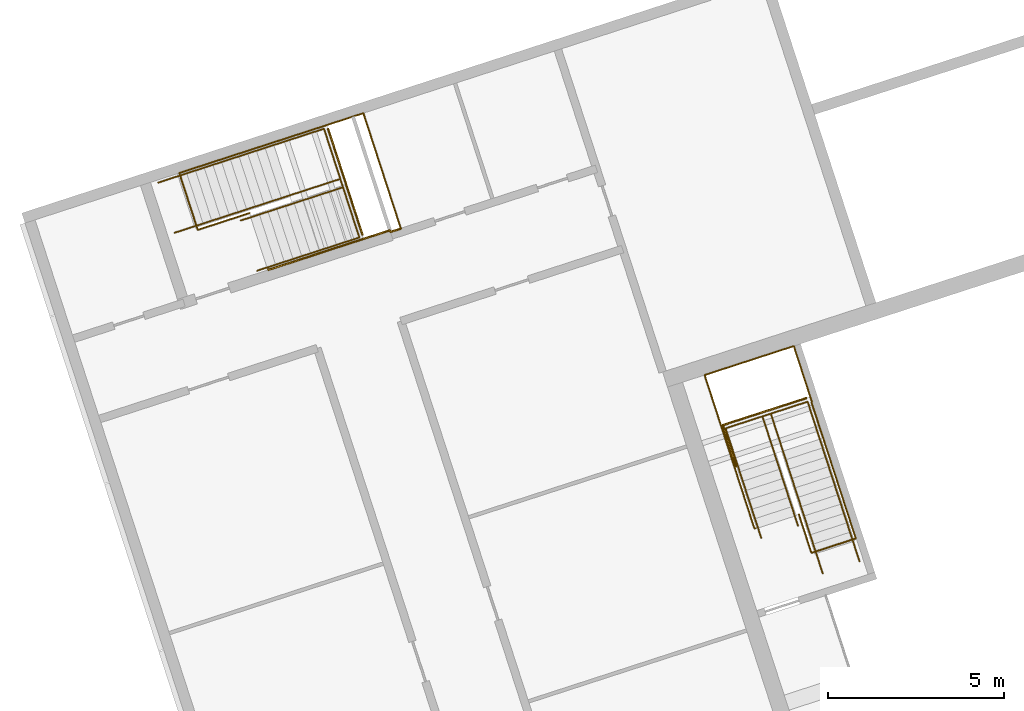
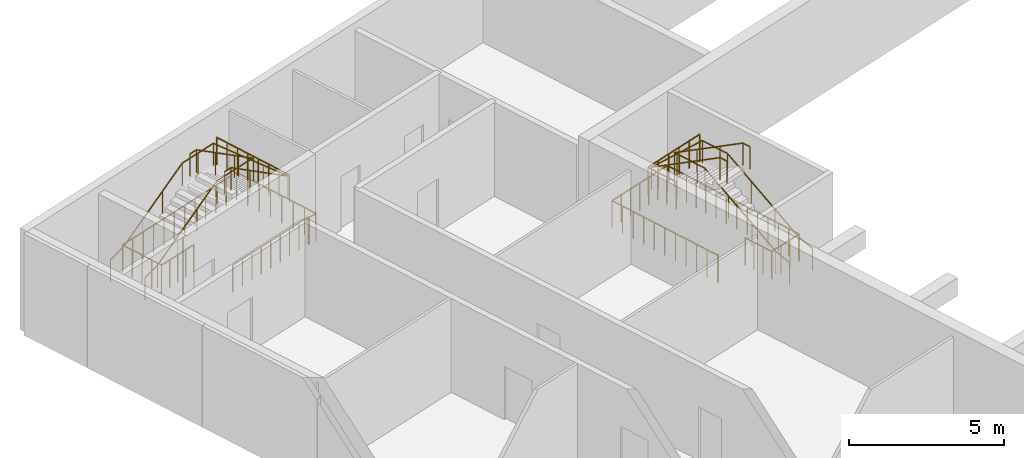
# One storey, part 62 of 66: 11 railings.
"""IFC4 building model written with IfcOpenShell, lengths in metres."""

import ifcopenshell
import ifcopenshell.guid

model = None  # the IFC model being written
_history = None  # IfcOwnerHistory: only IFC2X3 demands one
_inside = {}  # id of a spatial element -> (the spatial element, [elements in it])
_under = {}  # id of a project, library or spatial element -> (it, [spatial elements below it])
_declared = {}  # id of a project -> (the project, [libraries it declares])
_typed = {}  # id of a type object -> (the type object, [elements of that type])
_made_of = {}  # id of a material, layer set ... -> (it, [elements and type objects made of it])


def new_model(schema):
    """Start an empty IFC model of exactly this schema.

    Asked for "IFC4X3", IfcOpenShell would pick the latest addendum, in which some entities
    have other attributes; the version numbers below select the first issue.
    IFC2X3 requires an IfcOwnerHistory on every rooted entity: one is made here for all.
    """
    global model, _history
    if schema == "IFC4X3":
        model = ifcopenshell.file(schema_version=(4, 3, 0, 0))
    else:
        model = ifcopenshell.file(schema=schema)
    _inside.clear()
    _under.clear()
    _declared.clear()
    _typed.clear()
    _made_of.clear()
    _history = None
    if model.schema == "IFC2X3":
        org = make("IfcOrganization", Name="unknown")
        user = make(
            "IfcPersonAndOrganization",
            ThePerson=make("IfcPerson", FamilyName="unknown"),
            TheOrganization=org,
        )
        app = make(
            "IfcApplication",
            ApplicationDeveloper=org,
            Version="unknown",
            ApplicationFullName="unknown",
            ApplicationIdentifier="unknown",
        )
        _history = make(
            "IfcOwnerHistory",
            OwningUser=user,
            OwningApplication=app,
            ChangeAction="ADDED",
            CreationDate=0,
        )
    return model


def make(cls, **values):
    """One entity of the class cls with the attributes given. An attribute that is None is left unset."""
    return model.create_entity(
        cls, **{name: value for name, value in values.items() if value is not None}
    )


def rooted(cls, **values):
    """An entity with a GlobalId (a new one), such as an element, a storey or a relation."""
    return make(cls, GlobalId=ifcopenshell.guid.new(), OwnerHistory=_history, **values)


def si_unit(unit_type, name, prefix=None):
    """IfcSIUnit, for example si_unit("LENGTHUNIT", "METRE", prefix="MILLI")."""
    return make("IfcSIUnit", UnitType=unit_type, Prefix=prefix, Name=name)


def assignment(units):
    """IfcUnitAssignment: the units of a project."""
    return None if units is None else make("IfcUnitAssignment", Units=units)


def point(xyz):
    """IfcCartesianPoint."""
    return None if xyz is None else make("IfcCartesianPoint", Coordinates=xyz)


def direction(xyz):
    """IfcDirection."""
    return None if xyz is None else make("IfcDirection", DirectionRatios=xyz)


def frame(location, z_axis=None, x_axis=None):
    """IfcAxis2Placement3D, a coordinate frame: its origin and axes. An axis left out is left unset."""
    return make(
        "IfcAxis2Placement3D",
        Location=point(location),
        Axis=direction(z_axis),
        RefDirection=direction(x_axis),
    )


def frame_2d(location, x_axis=None):
    """IfcAxis2Placement2D, a coordinate frame in the plane: its origin and x axis."""
    return make(
        "IfcAxis2Placement2D", Location=point(location), RefDirection=direction(x_axis)
    )


def origin():
    """The frame at (0, 0, 0) with its axes left unset."""
    return frame((0.0, 0.0, 0.0))


def origin_2d():
    """The frame at (0, 0) in the plane with its x axis left unset."""
    return frame_2d((0.0, 0.0))


def place(relative_to, where):
    """IfcLocalPlacement: puts the frame where relative to a parent placement (None: the world)."""
    return make(
        "IfcLocalPlacement", PlacementRelTo=relative_to, RelativePlacement=where
    )


def context(
    kind, dimensions, precision=None, world=None, true_north=None, identifier=None
):
    """IfcGeometricRepresentationContext, for example the 3D "Model" context."""
    return make(
        "IfcGeometricRepresentationContext",
        ContextIdentifier=identifier,
        ContextType=kind,
        CoordinateSpaceDimension=dimensions,
        Precision=precision,
        WorldCoordinateSystem=world,
        TrueNorth=true_north,
    )


def subcontext(parent, identifier, kind, view, scale=None):
    """IfcGeometricRepresentationSubContext, for example "Body" below "Model"."""
    return make(
        "IfcGeometricRepresentationSubContext",
        ContextIdentifier=identifier,
        ContextType=kind,
        ParentContext=parent,
        TargetScale=scale,
        TargetView=view,
    )


def project(units=None, contexts=None):
    """IfcProject with its units and contexts."""
    return rooted(
        "IfcProject",
        Name="project",
        RepresentationContexts=contexts,
        UnitsInContext=assignment(units),
    )


def spatial(cls, under=None, at=None, **own):
    """A site, building, storey or space (cls), placed at a placement, below another one or the project."""
    s = rooted(cls, ObjectPlacement=at, **own)
    if under is not None:
        _under.setdefault(under.id(), (under, []))[1].append(s)
    return s


def profile(cls, at=None, kind="AREA", **sizes):
    """A parametric profile (cls). Its sizes go by their IFC names, for example OverallWidth=200.0."""
    return make(cls, ProfileType=kind, Position=at, **sizes)


def circle(**sizes):
    """IfcCircleProfileDef."""
    return profile("IfcCircleProfileDef", **sizes)


def extrude(swept, where, along, depth):
    """IfcExtrudedAreaSolid: the profile swept, set in the frame where, extruded along a direction by depth."""
    return make(
        "IfcExtrudedAreaSolid",
        SweptArea=swept,
        Position=where,
        ExtrudedDirection=direction(along),
        Depth=depth,
    )


def shape(context_of_items, identifier, shape_type, items):
    """IfcShapeRepresentation: the items that make up one representation, for example the "Body"."""
    return make(
        "IfcShapeRepresentation",
        ContextOfItems=context_of_items,
        RepresentationIdentifier=identifier,
        RepresentationType=shape_type,
        Items=items,
    )


def material(Name=None, Category=None):
    """IfcMaterial."""
    return make("IfcMaterial", Name=Name, Category=Category)


def made_of(thing, what):
    """Note that an element or type object is made of a material, layer set ...; save() writes the relation."""
    if what is not None:
        _made_of.setdefault(what.id(), (what, []))[1].append(thing)
    return thing


def type_object(cls, material=None, **own):
    """A type object (cls), such as IfcWallType, which elements share."""
    return made_of(rooted(cls, **own), material)


def element(
    cls,
    number,
    at=None,
    inside=None,
    cuts=None,
    type_object=None,
    material=None,
    context=None,
    identifier="Body",
    shape_type=None,
    held_by="IfcProductDefinitionShape",
    body=None,
    shapes=None,
    **own,
):
    """One element of the class cls, such as IfcWall. Its Tag is "e" and its number.

    at: its placement. inside: the storey or other place that contains it. cuts: it is an
    opening in that element (IfcRelVoidsElement). A single representation is given by context,
    identifier, shape_type and body (its items); several are given by shapes. held_by: the class
    of the entity that holds the representations. save() writes the other relations.
    """
    e = rooted(cls, Tag="e%d" % number, ObjectPlacement=at, **own)
    if body is not None:
        shapes = [shape(context, identifier, shape_type, body)]
    if shapes is not None:
        e.Representation = make(held_by, Representations=shapes)
    if inside is not None:
        _inside.setdefault(inside.id(), (inside, []))[1].append(e)
    if cuts is not None:
        rooted(
            "IfcRelVoidsElement", RelatingBuildingElement=cuts, RelatedOpeningElement=e
        )
    if type_object is not None:
        _typed.setdefault(type_object.id(), (type_object, []))[1].append(e)
    return made_of(e, material)


def aggregate(whole, parts):
    """IfcRelAggregates: a whole, such as a stair, and the parts it consists of."""
    return rooted("IfcRelAggregates", RelatingObject=whole, RelatedObjects=parts)


def save(model, path):
    """Write the relations noted so far, then the file.

    IfcRelAggregates (storeys below a building ...), IfcRelContainedInSpatialStructure (elements
    in a storey), IfcRelDefinesByType, IfcRelAssociatesMaterial and IfcRelDeclares: one each for
    every whole, place, type object, material and project.
    """
    for whole, parts in _under.values():
        aggregate(whole, parts)
    for where, things in _inside.values():
        rooted(
            "IfcRelContainedInSpatialStructure",
            RelatedElements=things,
            RelatingStructure=where,
        )
    for kind, things in _typed.values():
        rooted("IfcRelDefinesByType", RelatedObjects=things, RelatingType=kind)
    for what, things in _made_of.values():
        rooted("IfcRelAssociatesMaterial", RelatedObjects=things, RelatingMaterial=what)
    for by, libraries in _declared.values():
        rooted("IfcRelDeclares", RelatingContext=by, RelatedDefinitions=libraries)
    model.write(path)


model = new_model("IFC4")

# Units and contexts
model_context = context("Model", 3, precision=1e-05, world=origin(), true_north=direction((0.0, 1.0)))
body_context = subcontext(model_context, "Body", "Model", "MODEL_VIEW")
ifc_project = project(units=[si_unit("LENGTHUNIT", "METRE"), si_unit("AREAUNIT", "SQUARE_METRE"), si_unit("VOLUMEUNIT", "CUBIC_METRE"), si_unit("PLANEANGLEUNIT", "RADIAN"), si_unit("MASSUNIT", "GRAM", prefix="KILO")], contexts=[model_context])

# Site, building, storey
site_placement = place(None, origin())
site = spatial("IfcSite", under=ifc_project, at=site_placement, CompositionType="ELEMENT")
building_placement = place(site_placement, origin())
building = spatial("IfcBuilding", under=site, at=building_placement, Name="Tuart Plaza Theatre", CompositionType="ELEMENT")
storey_placement = place(building_placement, frame((0.0, 0.0, 5.5)))
storey = spatial("IfcBuildingStorey", under=building, at=storey_placement, Name="L01", CompositionType="ELEMENT", Elevation=5.5)

# Railings
ifc_material_1 = material(Name="Steel Grade C350L0", Category="steel")
railing_type_1 = type_object("IfcRailingType", Name="RAILING Guard 1100", PredefinedType="GUARDRAIL", material=ifc_material_1)
railing_1_placement = place(storey_placement, frame((27.444580078125, 91.872802734375, 0.0)))
element("IfcRailing", 1, at=railing_1_placement, inside=storey, type_object=railing_type_1, Name="GR25", PredefinedType="GUARDRAIL", context=body_context, shape_type="SweptSolid", body=[
    extrude(circle(Radius=0.02490234375, at=origin_2d()), frame((0.0, 0.0, 1.0751953125), z_axis=(-0.951172846201, -0.308658738171, 0.0), x_axis=(0.308658738171, -0.951172846201, 0.0)), (0.0, 0.0, 1.0), 0.31005859375),
    extrude(circle(Radius=0.02490234375, at=origin_2d()), frame((-0.294921875, -0.095703125, 1.0751953125), z_axis=(-0.310120496179, 0.950697258779, 0.0), x_axis=(-0.950697258779, -0.310120496179, 0.0)), (0.0, 0.0, 1.0), 0.048095703125),
    extrude(circle(Radius=0.02490234375, at=origin_2d()), frame((-0.309814453125, -0.050048828125, 1.0751953125), z_axis=(-0.9510439537, -0.309055655393, 0.0), x_axis=(0.309055655393, -0.9510439537, 0.0)), (0.0, 0.0, 1.0), 3.6298828125),
    extrude(circle(Radius=0.02490234375, at=origin_2d()), frame((-3.761962890625, -1.171875, 1.0751953125), z_axis=(-0.316227766017, 0.948683298051, 0.0), x_axis=(-0.948683298051, -0.316227766017, 0.0)), (0.0, 0.0, 1.0), 0.02001953125),
    extrude(circle(Radius=0.02001953125, at=origin_2d()), origin(), (0.0, 0.0, 1.0), 1.050048828125),
    extrude(circle(Radius=0.02001953125, at=origin_2d()), frame((-0.294921875, -0.095703125, 0.0)), (0.0, 0.0, 1.0), 1.050048828125),
    extrude(circle(Radius=0.02001953125, at=origin_2d()), frame((-0.309814453125, -0.050048828125, 0.0)), (0.0, 0.0, 1.0), 1.050048828125),
    extrude(circle(Radius=0.02001953125, at=origin_2d()), frame((-0.7412109375, -0.190185546875, 0.0)), (0.0, 0.0, 1.0), 1.050048828125),
    extrude(circle(Radius=0.02001953125, at=origin_2d()), frame((-1.1728515625, -0.33056640625, 0.0)), (0.0, 0.0, 1.0), 1.050048828125),
    extrude(circle(Radius=0.02001953125, at=origin_2d()), frame((-1.6044921875, -0.470703125, 0.0)), (0.0, 0.0, 1.0), 1.050048828125),
    extrude(circle(Radius=0.02001953125, at=origin_2d()), frame((-2.035888671875, -0.61083984375, 0.0)), (0.0, 0.0, 1.0), 1.050048828125),
    extrude(circle(Radius=0.02001953125, at=origin_2d()), frame((-2.46728515625, -0.751220703125, 0.0)), (0.0, 0.0, 1.0), 1.050048828125),
    extrude(circle(Radius=0.02001953125, at=origin_2d()), frame((-2.89892578125, -0.891357421875, 0.0)), (0.0, 0.0, 1.0), 1.050048828125),
    extrude(circle(Radius=0.02001953125, at=origin_2d()), frame((-3.33056640625, -1.03173828125, 0.0)), (0.0, 0.0, 1.0), 1.050048828125),
    extrude(circle(Radius=0.02001953125, at=origin_2d()), frame((-3.761962890625, -1.171875, 0.0)), (0.0, 0.0, 1.0), 1.050048828125),
    extrude(circle(Radius=0.02001953125, at=origin_2d()), frame((-3.768310546875, -1.15283203125, 0.0)), (0.0, 0.0, 1.0), 1.050048828125),
])
railing_2_placement = place(storey_placement, frame((23.15234375, 92.316162109375, 0.0)))
element("IfcRailing", 2, at=railing_2_placement, inside=storey, type_object=railing_type_1, Name="GR26", PredefinedType="GUARDRAIL", context=body_context, shape_type="SweptSolid", body=[
    extrude(circle(Radius=0.02490234375, at=origin_2d()), frame((0.0, 0.0, 1.0751953125), z_axis=(-0.951058297536, -0.309011512226, 0.0), x_axis=(0.309011512226, -0.951058297536, 0.0)), (0.0, 0.0, 1.0), 1.554931640625),
    extrude(circle(Radius=0.02490234375, at=origin_2d()), frame((-1.478759765625, -0.48046875, 1.0751953125), z_axis=(-0.309024378638, 0.951054116971, 0.0), x_axis=(-0.951054116971, -0.309024378638, 0.0)), (0.0, 0.0, 1.0), 1.7001953125),
    extrude(circle(Radius=0.02490234375, at=origin_2d()), frame((-2.004150390625, 1.136474609375, 1.0751953125), z_axis=(0.951061793147, 0.309000753423, 0.0), x_axis=(-0.309000753423, 0.951061793147, 0.0)), (0.0, 0.0, 1.0), 5.499755859375),
    extrude(circle(Radius=0.02490234375, at=origin_2d()), frame((3.2265625, 2.8359375, 1.0751953125), z_axis=(0.309060456224, -0.951042393586, 0.0), x_axis=(0.951042393586, 0.309060456224, 0.0)), (0.0, 0.0, 1.0), 3.447998046875),
    extrude(circle(Radius=0.02001953125, at=origin_2d()), origin(), (0.0, 0.0, 1.0), 1.050048828125),
    extrude(circle(Radius=0.02001953125, at=origin_2d()), frame((-0.36962890625, -0.1201171875, 0.0)), (0.0, 0.0, 1.0), 1.050048828125),
    extrude(circle(Radius=0.02001953125, at=origin_2d()), frame((-0.7392578125, -0.240234375, 0.0)), (0.0, 0.0, 1.0), 1.050048828125),
    extrude(circle(Radius=0.02001953125, at=origin_2d()), frame((-1.109130859375, -0.3603515625, 0.0)), (0.0, 0.0, 1.0), 1.050048828125),
    extrude(circle(Radius=0.02001953125, at=origin_2d()), frame((-1.478759765625, -0.48046875, 0.0)), (0.0, 0.0, 1.0), 1.050048828125),
    extrude(circle(Radius=0.02001953125, at=origin_2d()), frame((-1.610107421875, -0.076171875, 0.0)), (0.0, 0.0, 1.0), 1.050048828125),
    extrude(circle(Radius=0.02001953125, at=origin_2d()), frame((-1.741455078125, 0.328125, 0.0)), (0.0, 0.0, 1.0), 1.050048828125),
    extrude(circle(Radius=0.02001953125, at=origin_2d()), frame((-1.872802734375, 0.732177734375, 0.0)), (0.0, 0.0, 1.0), 1.050048828125),
    extrude(circle(Radius=0.02001953125, at=origin_2d()), frame((-2.004150390625, 1.136474609375, 0.0)), (0.0, 0.0, 1.0), 1.050048828125),
    extrude(circle(Radius=0.02001953125, at=origin_2d()), frame((-1.528564453125, 1.291015625, 0.0)), (0.0, 0.0, 1.0), 1.050048828125),
    extrude(circle(Radius=0.02001953125, at=origin_2d()), frame((-1.05322265625, 1.445556640625, 0.0)), (0.0, 0.0, 1.0), 1.050048828125),
    extrude(circle(Radius=0.02001953125, at=origin_2d()), frame((-0.57763671875, 1.599853515625, 0.0)), (0.0, 0.0, 1.0), 1.050048828125),
    extrude(circle(Radius=0.02001953125, at=origin_2d()), frame((-0.10205078125, 1.75439453125, 0.0)), (0.0, 0.0, 1.0), 1.050048828125),
    extrude(circle(Radius=0.02001953125, at=origin_2d()), frame((0.37353515625, 1.908935546875, 0.0)), (0.0, 0.0, 1.0), 1.050048828125),
    extrude(circle(Radius=0.02001953125, at=origin_2d()), frame((0.848876953125, 2.0634765625, 0.0)), (0.0, 0.0, 1.0), 1.050048828125),
    extrude(circle(Radius=0.02001953125, at=origin_2d()), frame((1.324462890625, 2.218017578125, 0.0)), (0.0, 0.0, 1.0), 1.050048828125),
    extrude(circle(Radius=0.02001953125, at=origin_2d()), frame((1.800048828125, 2.37255859375, 0.0)), (0.0, 0.0, 1.0), 1.050048828125),
    extrude(circle(Radius=0.02001953125, at=origin_2d()), frame((2.275634765625, 2.52685546875, 0.0)), (0.0, 0.0, 1.0), 1.050048828125),
    extrude(circle(Radius=0.02001953125, at=origin_2d()), frame((2.7509765625, 2.681396484375, 0.0)), (0.0, 0.0, 1.0), 1.050048828125),
    extrude(circle(Radius=0.02001953125, at=origin_2d()), frame((3.2265625, 2.8359375, 0.0)), (0.0, 0.0, 1.0), 1.050048828125),
    extrude(circle(Radius=0.02001953125, at=origin_2d()), frame((3.37890625, 2.367431640625, 0.0)), (0.0, 0.0, 1.0), 1.050048828125),
    extrude(circle(Radius=0.02001953125, at=origin_2d()), frame((3.531005859375, 1.89892578125, 0.0)), (0.0, 0.0, 1.0), 1.050048828125),
    extrude(circle(Radius=0.02001953125, at=origin_2d()), frame((3.683349609375, 1.430419921875, 0.0)), (0.0, 0.0, 1.0), 1.050048828125),
    extrude(circle(Radius=0.02001953125, at=origin_2d()), frame((3.83544921875, 0.962158203125, 0.0)), (0.0, 0.0, 1.0), 1.050048828125),
    extrude(circle(Radius=0.02001953125, at=origin_2d()), frame((3.98779296875, 0.49365234375, 0.0)), (0.0, 0.0, 1.0), 1.050048828125),
    extrude(circle(Radius=0.02001953125, at=origin_2d()), frame((4.139892578125, 0.025146484375, 0.0)), (0.0, 0.0, 1.0), 1.050048828125),
    extrude(circle(Radius=0.02001953125, at=origin_2d()), frame((4.292236328125, -0.443359375, 0.0)), (0.0, 0.0, 1.0), 1.050048828125),
])
railing_3_placement = place(storey_placement, frame((25.37939453125, 94.701171875, 2.0)))
element("IfcRailing", 3, at=railing_3_placement, inside=storey, type_object=railing_type_1, Name="GR30", PredefinedType="GUARDRAIL", context=body_context, shape_type="SweptSolid", body=[
    extrude(circle(Radius=0.02490234375, at=origin_2d()), frame((0.0, 0.0, 1.0751953125), z_axis=(0.309033663672, -0.951051099951, 0.0), x_axis=(0.951051099951, 0.309033663672, 0.0)), (0.0, 0.0, 1.0), 3.16015625),
    extrude(circle(Radius=0.02001953125, at=origin_2d()), origin(), (0.0, 0.0, 1.0), 1.050048828125),
    extrude(circle(Radius=0.02001953125, at=origin_2d()), frame((0.139404296875, -0.429443359375, 0.0)), (0.0, 0.0, 1.0), 1.050048828125),
    extrude(circle(Radius=0.02001953125, at=origin_2d()), frame((0.279052734375, -0.858642578125, 0.0)), (0.0, 0.0, 1.0), 1.050048828125),
    extrude(circle(Radius=0.02001953125, at=origin_2d()), frame((0.41845703125, -1.2880859375, 0.0)), (0.0, 0.0, 1.0), 1.050048828125),
    extrude(circle(Radius=0.02001953125, at=origin_2d()), frame((0.55810546875, -1.71728515625, 0.0)), (0.0, 0.0, 1.0), 1.050048828125),
    extrude(circle(Radius=0.02001953125, at=origin_2d()), frame((0.697509765625, -2.146728515625, 0.0)), (0.0, 0.0, 1.0), 1.050048828125),
    extrude(circle(Radius=0.02001953125, at=origin_2d()), frame((0.837158203125, -2.575927734375, 0.0)), (0.0, 0.0, 1.0), 1.050048828125),
    extrude(circle(Radius=0.02001953125, at=origin_2d()), frame((0.9765625, -3.00537109375, 0.0)), (0.0, 0.0, 1.0), 1.050048828125),
])
railing_4_placement = place(storey_placement, frame((38.613037109375, 88.53369140625, 0.0)))
element("IfcRailing", 4, at=railing_4_placement, inside=storey, type_object=railing_type_1, Name="GR48", PredefinedType="GUARDRAIL", context=body_context, shape_type="SweptSolid", body=[
    extrude(circle(Radius=0.02490234375, at=origin_2d()), frame((0.0, 0.0, 1.0751953125), z_axis=(0.309003676349, -0.951060843481, 0.0), x_axis=(0.951060843481, 0.309003676349, 0.0)), (0.0, 0.0, 1.0), 1.675048828125),
    extrude(circle(Radius=0.02490234375, at=origin_2d()), frame((0.517578125, -1.593017578125, 1.0751953125), z_axis=(-0.951860557857, -0.306531366089, 0.0), x_axis=(0.306531366089, -0.951860557857, 0.0)), (0.0, 0.0, 1.0), 0.01513671875),
    extrude(circle(Radius=0.02490234375, at=origin_2d()), frame((0.503173828125, -1.59765625, 1.0751953125), z_axis=(0.309038600002, -0.95104949593, 0.0), x_axis=(0.95104949593, 0.309038600002, 0.0)), (0.0, 0.0, 1.0), 4.070068359375),
    extrude(circle(Radius=0.02490234375, at=origin_2d()), frame((1.760986328125, -5.468505859375, 1.0751953125), z_axis=(-0.951051671908, -0.309031903466, 0.0), x_axis=(0.309031903466, -0.951051671908, 0.0)), (0.0, 0.0, 1.0), 1.324951171875),
    extrude(circle(Radius=0.02490234375, at=origin_2d()), frame((0.5009765625, -5.8779296875, 1.0751953125), z_axis=(-0.309181642965, 0.951003002968, 0.0), x_axis=(-0.951003002968, -0.309181642965, 0.0)), (0.0, 0.0, 1.0), 1.1552734375),
    extrude(circle(Radius=0.02001953125, at=origin_2d()), origin(), (0.0, 0.0, 1.0), 1.050048828125),
    extrude(circle(Radius=0.02001953125, at=origin_2d()), frame((0.12939453125, -0.398193359375, 0.0)), (0.0, 0.0, 1.0), 1.050048828125),
    extrude(circle(Radius=0.02001953125, at=origin_2d()), frame((0.2587890625, -0.79638671875, 0.0)), (0.0, 0.0, 1.0), 1.050048828125),
    extrude(circle(Radius=0.02001953125, at=origin_2d()), frame((0.38818359375, -1.19482421875, 0.0)), (0.0, 0.0, 1.0), 1.050048828125),
    extrude(circle(Radius=0.02001953125, at=origin_2d()), frame((0.517578125, -1.593017578125, 0.0)), (0.0, 0.0, 1.0), 1.050048828125),
    extrude(circle(Radius=0.02001953125, at=origin_2d()), frame((0.503173828125, -1.59765625, 0.0)), (0.0, 0.0, 1.0), 1.050048828125),
    extrude(circle(Radius=0.02001953125, at=origin_2d()), frame((0.642822265625, -2.02783203125, 0.0)), (0.0, 0.0, 1.0), 1.050048828125),
    extrude(circle(Radius=0.02001953125, at=origin_2d()), frame((0.78271484375, -2.457763671875, 0.0)), (0.0, 0.0, 1.0), 1.050048828125),
    extrude(circle(Radius=0.02001953125, at=origin_2d()), frame((0.92236328125, -2.887939453125, 0.0)), (0.0, 0.0, 1.0), 1.050048828125),
    extrude(circle(Radius=0.02001953125, at=origin_2d()), frame((1.062255859375, -3.318115234375, 0.0)), (0.0, 0.0, 1.0), 1.050048828125),
    extrude(circle(Radius=0.02001953125, at=origin_2d()), frame((1.201904296875, -3.748046875, 0.0)), (0.0, 0.0, 1.0), 1.050048828125),
    extrude(circle(Radius=0.02001953125, at=origin_2d()), frame((1.341796875, -4.17822265625, 0.0)), (0.0, 0.0, 1.0), 1.050048828125),
    extrude(circle(Radius=0.02001953125, at=origin_2d()), frame((1.4814453125, -4.6083984375, 0.0)), (0.0, 0.0, 1.0), 1.050048828125),
    extrude(circle(Radius=0.02001953125, at=origin_2d()), frame((1.621337890625, -5.038330078125, 0.0)), (0.0, 0.0, 1.0), 1.050048828125),
    extrude(circle(Radius=0.02001953125, at=origin_2d()), frame((1.760986328125, -5.468505859375, 0.0)), (0.0, 0.0, 1.0), 1.050048828125),
    extrude(circle(Radius=0.02001953125, at=origin_2d()), frame((1.341064453125, -5.60498046875, 0.0)), (0.0, 0.0, 1.0), 1.050048828125),
    extrude(circle(Radius=0.02001953125, at=origin_2d()), frame((0.9208984375, -5.741455078125, 0.0)), (0.0, 0.0, 1.0), 1.050048828125),
    extrude(circle(Radius=0.02001953125, at=origin_2d()), frame((0.5009765625, -5.8779296875, 0.0)), (0.0, 0.0, 1.0), 1.050048828125),
    extrude(circle(Radius=0.02001953125, at=origin_2d()), frame((0.3818359375, -5.51171875, 0.0)), (0.0, 0.0, 1.0), 1.050048828125),
    extrude(circle(Radius=0.02001953125, at=origin_2d()), frame((0.262939453125, -5.1455078125, 0.0)), (0.0, 0.0, 1.0), 1.050048828125),
    extrude(circle(Radius=0.02001953125, at=origin_2d()), frame((0.143798828125, -4.779296875, 0.0)), (0.0, 0.0, 1.0), 1.050048828125),
])
railing_5_placement = place(storey_placement, frame((37.5380859375, 83.363525390625, 0.0)))
element("IfcRailing", 5, at=railing_5_placement, inside=storey, type_object=railing_type_1, Name="GR49", PredefinedType="GUARDRAIL", context=body_context, shape_type="SweptSolid", body=[
    extrude(circle(Radius=0.02490234375, at=origin_2d()), frame((0.0, 0.0, 1.0751953125), z_axis=(-0.951351351351, -0.308108108108, 0.0), x_axis=(0.308108108108, -0.951351351351, 0.0)), (0.0, 0.0, 1.0), 0.045166015625),
    extrude(circle(Radius=0.02490234375, at=origin_2d()), frame((-0.04296875, -0.013916015625, 1.0751953125), z_axis=(-0.308998177192, 0.951062630163, 0.0), x_axis=(-0.951062630163, -0.308998177192, 0.0)), (0.0, 0.0, 1.0), 4.5849609375),
    extrude(circle(Radius=0.02490234375, at=origin_2d()), frame((-1.459716796875, 4.3466796875, 1.0751953125), z_axis=(0.951065031201, 0.308990786962, 0.0), x_axis=(-0.308990786962, 0.951065031201, 0.0)), (0.0, 0.0, 1.0), 2.6650390625),
    extrude(circle(Radius=0.02001953125, at=origin_2d()), origin(), (0.0, 0.0, 1.0), 1.050048828125),
    extrude(circle(Radius=0.02001953125, at=origin_2d()), frame((-0.04296875, -0.013916015625, 0.0)), (0.0, 0.0, 1.0), 1.050048828125),
    extrude(circle(Radius=0.02001953125, at=origin_2d()), frame((-0.1845703125, 0.422119140625, 0.0)), (0.0, 0.0, 1.0), 1.050048828125),
    extrude(circle(Radius=0.02001953125, at=origin_2d()), frame((-0.326416015625, 0.858154296875, 0.0)), (0.0, 0.0, 1.0), 1.050048828125),
    extrude(circle(Radius=0.02001953125, at=origin_2d()), frame((-0.468017578125, 1.294189453125, 0.0)), (0.0, 0.0, 1.0), 1.050048828125),
    extrude(circle(Radius=0.02001953125, at=origin_2d()), frame((-0.609619140625, 1.730224609375, 0.0)), (0.0, 0.0, 1.0), 1.050048828125),
    extrude(circle(Radius=0.02001953125, at=origin_2d()), frame((-0.75146484375, 2.16650390625, 0.0)), (0.0, 0.0, 1.0), 1.050048828125),
    extrude(circle(Radius=0.02001953125, at=origin_2d()), frame((-0.89306640625, 2.6025390625, 0.0)), (0.0, 0.0, 1.0), 1.050048828125),
    extrude(circle(Radius=0.02001953125, at=origin_2d()), frame((-1.03466796875, 3.03857421875, 0.0)), (0.0, 0.0, 1.0), 1.050048828125),
    extrude(circle(Radius=0.02001953125, at=origin_2d()), frame((-1.17626953125, 3.474609375, 0.0)), (0.0, 0.0, 1.0), 1.050048828125),
    extrude(circle(Radius=0.02001953125, at=origin_2d()), frame((-1.318115234375, 3.91064453125, 0.0)), (0.0, 0.0, 1.0), 1.050048828125),
    extrude(circle(Radius=0.02001953125, at=origin_2d()), frame((-1.459716796875, 4.3466796875, 0.0)), (0.0, 0.0, 1.0), 1.050048828125),
    extrude(circle(Radius=0.02001953125, at=origin_2d()), frame((-1.037353515625, 4.48388671875, 0.0)), (0.0, 0.0, 1.0), 1.050048828125),
    extrude(circle(Radius=0.02001953125, at=origin_2d()), frame((-0.61474609375, 4.62109375, 0.0)), (0.0, 0.0, 1.0), 1.050048828125),
    extrude(circle(Radius=0.02001953125, at=origin_2d()), frame((-0.1923828125, 4.75830078125, 0.0)), (0.0, 0.0, 1.0), 1.050048828125),
    extrude(circle(Radius=0.02001953125, at=origin_2d()), frame((0.22998046875, 4.895751953125, 0.0)), (0.0, 0.0, 1.0), 1.050048828125),
    extrude(circle(Radius=0.02001953125, at=origin_2d()), frame((0.652587890625, 5.032958984375, 0.0)), (0.0, 0.0, 1.0), 1.050048828125),
    extrude(circle(Radius=0.02001953125, at=origin_2d()), frame((1.074951171875, 5.170166015625, 0.0)), (0.0, 0.0, 1.0), 1.050048828125),
])
railing_6_placement = place(storey_placement, frame((38.967041015625, 87.055908203125, 2.0)))
element("IfcRailing", 6, at=railing_6_placement, inside=storey, type_object=railing_type_1, Name="GR54", PredefinedType="GUARDRAIL", context=body_context, shape_type="SweptSolid", body=[
    extrude(circle(Radius=0.02490234375, at=origin_2d()), frame((0.0, 0.0, 1.0751953125), z_axis=(-0.951062826572, -0.308997572666, 0.0), x_axis=(0.308997572666, -0.951062826572, 0.0)), (0.0, 0.0, 1.0), 2.4951171875),
    extrude(circle(Radius=0.02001953125, at=origin_2d()), origin(), (0.0, 0.0, 1.0), 1.050048828125),
    extrude(circle(Radius=0.02001953125, at=origin_2d()), frame((-0.474609375, -0.154296875, 0.0)), (0.0, 0.0, 1.0), 1.050048828125),
    extrude(circle(Radius=0.02001953125, at=origin_2d()), frame((-0.94921875, -0.308349609375, 0.0)), (0.0, 0.0, 1.0), 1.050048828125),
    extrude(circle(Radius=0.02001953125, at=origin_2d()), frame((-1.423828125, -0.462646484375, 0.0)), (0.0, 0.0, 1.0), 1.050048828125),
    extrude(circle(Radius=0.02001953125, at=origin_2d()), frame((-1.8984375, -0.61669921875, 0.0)), (0.0, 0.0, 1.0), 1.050048828125),
    extrude(circle(Radius=0.02001953125, at=origin_2d()), frame((-2.373046875, -0.77099609375, 0.0)), (0.0, 0.0, 1.0), 1.050048828125),
])
railing_7_placement = place(storey_placement, frame((36.593994140625, 86.284912109375, 2.0)))
element("IfcRailing", 7, at=railing_7_placement, inside=storey, type_object=railing_type_1, Name="GR55", PredefinedType="GUARDRAIL", context=body_context, shape_type="SweptSolid", body=[
    extrude(circle(Radius=0.02490234375, at=origin_2d()), frame((0.0, 0.0, 1.0751953125), z_axis=(0.309014268544, -0.951057401967, 0.0), x_axis=(0.951057401967, 0.309014268544, 0.0)), (0.0, 0.0, 1.0), 1.230224609375),
    extrude(circle(Radius=0.02001953125, at=origin_2d()), origin(), (0.0, 0.0, 1.0), 1.050048828125),
    extrude(circle(Radius=0.02001953125, at=origin_2d()), frame((0.126708984375, -0.389892578125, 0.0)), (0.0, 0.0, 1.0), 1.050048828125),
    extrude(circle(Radius=0.02001953125, at=origin_2d()), frame((0.25341796875, -0.780029296875, 0.0)), (0.0, 0.0, 1.0), 1.050048828125),
    extrude(circle(Radius=0.02001953125, at=origin_2d()), frame((0.380126953125, -1.169921875, 0.0)), (0.0, 0.0, 1.0), 1.050048828125),
])
ifc_material_2 = material(Name="Steel Grade C350L0", Category="steel")
railing_type_2 = type_object("IfcRailingType", Name="RAILING Handrail 900", PredefinedType="HANDRAIL", material=ifc_material_2)
railing_8_placement = place(storey_placement, frame((21.007080078125, 91.750732421875, 0.0)))
element("IfcRailing", 8, at=railing_8_placement, inside=storey, type_object=railing_type_2, Name="HR19", PredefinedType="HANDRAIL", context=body_context, shape_type="SweptSolid", body=[
    extrude(circle(Radius=0.0224609375, at=origin_2d()), frame((0.0, 0.0, 0.87744140625), z_axis=(0.91641792704, 0.297502654672, 0.267713192544), x_axis=(-0.308773297186, 0.951135663796, 0.0)), (0.0, 0.0, 1.0), 0.622802734375),
    extrude(circle(Radius=0.0224609375, at=origin_2d()), frame((0.57080078125, 0.185302734375, 1.044189453125), z_axis=(0.80067958274, 0.260161573424, 0.539655595261), x_axis=(-0.309022373402, 0.951054768527, 0.0)), (0.0, 0.0, 1.0), 3.39697265625),
    extrude(circle(Radius=0.0224609375, at=origin_2d()), frame((3.290771484375, 1.069091796875, 2.87744140625), z_axis=(0.951032872603, 0.309089752708, 0.0), x_axis=(-0.309089752708, 0.951032872603, 0.0)), (0.0, 0.0, 1.0), 1.5),
    extrude(circle(Radius=0.0224609375, at=origin_2d()), frame((4.71728515625, 1.53271484375, 2.87744140625), z_axis=(0.227464384092, -0.698896877306, 0.678087832704), x_axis=(0.95090484413, 0.309483404096, 0.0)), (0.0, 0.0, 1.0), 0.34033203125),
    extrude(circle(Radius=0.0224609375, at=origin_2d()), frame((4.794677734375, 1.294921875, 3.108154296875), z_axis=(-0.800683001475, -0.26011771988, 0.539671662174), x_axis=(0.308974063591, -0.951070464281, 0.0)), (0.0, 0.0, 1.0), 3.278564453125),
    extrude(circle(Radius=0.0224609375, at=origin_2d()), frame((2.169677734375, 0.442138671875, 4.87744140625), z_axis=(-0.951016131768, -0.309141257546, 0.0), x_axis=(0.309141257546, -0.951016131768, 0.0)), (0.0, 0.0, 1.0), 0.300048828125),
    extrude(circle(Radius=0.01513671875, at=origin_2d()), origin(), (0.0, 0.0, 1.0), 0.85498046875),
    extrude(circle(Radius=0.01513671875, at=origin_2d()), frame((0.57080078125, 0.185302734375, 0.166748046875)), (0.0, 0.0, 1.0), 0.85498046875),
    extrude(circle(Radius=0.01513671875, at=origin_2d()), frame((1.4775390625, 0.47998046875, 0.77783203125)), (0.0, 0.0, 1.0), 0.85498046875),
    extrude(circle(Radius=0.01513671875, at=origin_2d()), frame((2.384033203125, 0.7744140625, 1.388916015625)), (0.0, 0.0, 1.0), 0.85498046875),
    extrude(circle(Radius=0.01513671875, at=origin_2d()), frame((3.290771484375, 1.069091796875, 2.0)), (0.0, 0.0, 1.0), 0.85498046875),
    extrude(circle(Radius=0.01513671875, at=origin_2d()), frame((4.71728515625, 1.53271484375, 2.0)), (0.0, 0.0, 1.0), 0.85498046875),
    extrude(circle(Radius=0.01513671875, at=origin_2d()), frame((4.794677734375, 1.294921875, 2.230712890625)), (0.0, 0.0, 1.0), 0.85498046875),
    extrude(circle(Radius=0.01513671875, at=origin_2d()), frame((3.919677734375, 1.0107421875, 2.820556640625)), (0.0, 0.0, 1.0), 0.85498046875),
    extrude(circle(Radius=0.01513671875, at=origin_2d()), frame((3.044677734375, 0.726318359375, 3.41015625)), (0.0, 0.0, 1.0), 0.85498046875),
    extrude(circle(Radius=0.01513671875, at=origin_2d()), frame((2.169677734375, 0.442138671875, 4.0)), (0.0, 0.0, 1.0), 0.85498046875),
    extrude(circle(Radius=0.01513671875, at=origin_2d()), frame((1.88427734375, 0.349365234375, 4.0)), (0.0, 0.0, 1.0), 0.85498046875),
])
railing_9_placement = place(storey_placement, frame((20.543701171875, 93.17724609375, 0.0)))
element("IfcRailing", 9, at=railing_9_placement, inside=storey, type_object=railing_type_2, Name="HR20", PredefinedType="HANDRAIL", context=body_context, shape_type="SweptSolid", body=[
    extrude(circle(Radius=0.0224609375, at=origin_2d()), frame((0.0, 0.0, 0.87744140625), z_axis=(0.916248123003, 0.297966869269, 0.267778120672), x_axis=(-0.309260889552, 0.950977235371, 0.0)), (0.0, 0.0, 1.0), 0.622802734375),
    extrude(circle(Radius=0.0224609375, at=origin_2d()), frame((0.570556640625, 0.185546875, 1.044189453125), z_axis=(0.80067958274, 0.260161573424, 0.539655595261), x_axis=(-0.309022373402, 0.951054768527, 0.0)), (0.0, 0.0, 1.0), 3.39697265625),
    extrude(circle(Radius=0.0224609375, at=origin_2d()), frame((3.29052734375, 1.0693359375, 2.87744140625), z_axis=(0.951096241278, 0.308894706699, 0.0), x_axis=(-0.308894706699, 0.951096241278, 0.0)), (0.0, 0.0, 1.0), 1.5),
    extrude(circle(Radius=0.0224609375, at=origin_2d()), frame((4.71728515625, 1.53271484375, 2.87744140625), z_axis=(0.308208462342, -0.948679585037, 0.070813760494), x_axis=(0.951067187383, 0.308984150214, 0.0)), (0.0, 0.0, 1.0), 3.258056640625),
    extrude(circle(Radius=0.0224609375, at=origin_2d()), frame((5.721435546875, -1.55810546875, 3.108154296875), z_axis=(-0.800640759168, -0.260202661383, 0.539693384959), x_axis=(0.309080071637, -0.951036018938, 0.0)), (0.0, 0.0, 1.0), 3.2783203125),
    extrude(circle(Radius=0.0224609375, at=origin_2d()), frame((3.0966796875, -2.4111328125, 4.87744140625), z_axis=(-0.951255083436, -0.308405198137, 0.0), x_axis=(0.308405198137, -0.951255083436, 0.0)), (0.0, 0.0, 1.0), 0.300048828125),
    extrude(circle(Radius=0.01513671875, at=origin_2d()), origin(), (0.0, 0.0, 1.0), 0.85498046875),
    extrude(circle(Radius=0.01513671875, at=origin_2d()), frame((0.570556640625, 0.185546875, 0.166748046875)), (0.0, 0.0, 1.0), 0.85498046875),
    extrude(circle(Radius=0.01513671875, at=origin_2d()), frame((1.477294921875, 0.480224609375, 0.77783203125)), (0.0, 0.0, 1.0), 0.85498046875),
    extrude(circle(Radius=0.01513671875, at=origin_2d()), frame((2.3837890625, 0.774658203125, 1.388916015625)), (0.0, 0.0, 1.0), 0.85498046875),
    extrude(circle(Radius=0.01513671875, at=origin_2d()), frame((3.29052734375, 1.0693359375, 2.0)), (0.0, 0.0, 1.0), 0.85498046875),
    extrude(circle(Radius=0.01513671875, at=origin_2d()), frame((4.00390625, 1.301025390625, 2.0)), (0.0, 0.0, 1.0), 0.85498046875),
    extrude(circle(Radius=0.01513671875, at=origin_2d()), frame((4.71728515625, 1.53271484375, 2.0)), (0.0, 0.0, 1.0), 0.85498046875),
    extrude(circle(Radius=0.01513671875, at=origin_2d()), frame((5.052001953125, 0.50244140625, 2.076904296875)), (0.0, 0.0, 1.0), 0.85498046875),
    extrude(circle(Radius=0.01513671875, at=origin_2d()), frame((5.38671875, -0.52783203125, 2.15380859375)), (0.0, 0.0, 1.0), 0.85498046875),
    extrude(circle(Radius=0.01513671875, at=origin_2d()), frame((5.721435546875, -1.55810546875, 2.230712890625)), (0.0, 0.0, 1.0), 0.85498046875),
    extrude(circle(Radius=0.01513671875, at=origin_2d()), frame((4.846435546875, -1.842529296875, 2.820556640625)), (0.0, 0.0, 1.0), 0.85498046875),
    extrude(circle(Radius=0.01513671875, at=origin_2d()), frame((3.9716796875, -2.126708984375, 3.41015625)), (0.0, 0.0, 1.0), 0.85498046875),
    extrude(circle(Radius=0.01513671875, at=origin_2d()), frame((3.0966796875, -2.4111328125, 4.0)), (0.0, 0.0, 1.0), 0.85498046875),
    extrude(circle(Radius=0.01513671875, at=origin_2d()), frame((2.811279296875, -2.503662109375, 4.0)), (0.0, 0.0, 1.0), 0.85498046875),
])
railing_10_placement = place(storey_placement, frame((39.436767578125, 82.066650390625, 0.0)))
element("IfcRailing", 10, at=railing_10_placement, inside=storey, type_object=railing_type_2, Name="HR31", PredefinedType="HANDRAIL", context=body_context, shape_type="SweptSolid", body=[
    extrude(circle(Radius=0.0224609375, at=origin_2d()), frame((0.0, 0.0, 0.87744140625), z_axis=(-0.297859866657, 0.916311010847, 0.267681959114), x_axis=(-0.951016131768, -0.309141257546, 0.0)), (0.0, 0.0, 1.0), 0.623046875),
    extrude(circle(Radius=0.0224609375, at=origin_2d()), frame((-0.185546875, 0.57080078125, 1.044189453125), z_axis=(-0.265513415955, 0.817247297236, 0.511477742536), x_axis=(-0.951065520339, -0.308989281404, 0.0)), (0.0, 0.0, 1.0), 3.584228515625),
    extrude(circle(Radius=0.0224609375, at=origin_2d()), frame((-1.13720703125, 3.5, 2.87744140625), z_axis=(-0.309161347536, 0.951009600998, 0.0), x_axis=(-0.951009600998, -0.309161347536, 0.0)), (0.0, 0.0, 1.0), 1.10009765625),
    extrude(circle(Radius=0.0224609375, at=origin_2d()), frame((-1.477294921875, 4.546142578125, 2.87744140625), z_axis=(-0.705135226707, -0.229005890688, 0.671074223978), x_axis=(0.30888714147, -0.951098698261, 0.0)), (0.0, 0.0, 1.0), 0.3369140625),
    extrude(circle(Radius=0.0224609375, at=origin_2d()), frame((-1.71484375, 4.468994140625, 3.103515625), z_axis=(0.265468554482, -0.817243290635, 0.511507429559), x_axis=(0.951080416459, 0.308943427553, 0.0)), (0.0, 0.0, 1.0), 3.468017578125),
    extrude(circle(Radius=0.0224609375, at=origin_2d()), frame((-0.794189453125, 1.634765625, 4.87744140625), z_axis=(0.309141257546, -0.951016131768, 0.0), x_axis=(0.951016131768, 0.309141257546, 0.0)), (0.0, 0.0, 1.0), 0.300048828125),
    extrude(circle(Radius=0.01513671875, at=origin_2d()), origin(), (0.0, 0.0, 1.0), 0.85498046875),
    extrude(circle(Radius=0.01513671875, at=origin_2d()), frame((-0.185546875, 0.57080078125, 0.166748046875)), (0.0, 0.0, 1.0), 0.85498046875),
    extrude(circle(Radius=0.01513671875, at=origin_2d()), frame((-0.502685546875, 1.547119140625, 0.77783203125)), (0.0, 0.0, 1.0), 0.85498046875),
    extrude(circle(Radius=0.01513671875, at=origin_2d()), frame((-0.820068359375, 2.523681640625, 1.388916015625)), (0.0, 0.0, 1.0), 0.85498046875),
    extrude(circle(Radius=0.01513671875, at=origin_2d()), frame((-1.13720703125, 3.5, 2.0)), (0.0, 0.0, 1.0), 0.85498046875),
    extrude(circle(Radius=0.01513671875, at=origin_2d()), frame((-1.477294921875, 4.546142578125, 2.0)), (0.0, 0.0, 1.0), 0.85498046875),
    extrude(circle(Radius=0.01513671875, at=origin_2d()), frame((-1.71484375, 4.468994140625, 2.22607421875)), (0.0, 0.0, 1.0), 0.85498046875),
    extrude(circle(Radius=0.01513671875, at=origin_2d()), frame((-1.407958984375, 3.524169921875, 2.8173828125)), (0.0, 0.0, 1.0), 0.85498046875),
    extrude(circle(Radius=0.01513671875, at=origin_2d()), frame((-1.10107421875, 2.57958984375, 3.40869140625)), (0.0, 0.0, 1.0), 0.85498046875),
    extrude(circle(Radius=0.01513671875, at=origin_2d()), frame((-0.794189453125, 1.634765625, 4.0)), (0.0, 0.0, 1.0), 0.85498046875),
    extrude(circle(Radius=0.01513671875, at=origin_2d()), frame((-0.701416015625, 1.349365234375, 4.0)), (0.0, 0.0, 1.0), 0.85498046875),
])
railing_11_placement = place(storey_placement, frame((40.48291015625, 82.40673828125, 0.0)))
element("IfcRailing", 11, at=railing_11_placement, inside=storey, type_object=railing_type_2, Name="HR32", PredefinedType="HANDRAIL", context=body_context, shape_type="SweptSolid", body=[
    extrude(circle(Radius=0.0224609375, at=origin_2d()), frame((0.0, 0.0, 0.87744140625), z_axis=(-0.297966869269, 0.916248123003, 0.267778120672), x_axis=(-0.950977235371, -0.309260889552, 0.0)), (0.0, 0.0, 1.0), 0.622802734375),
    extrude(circle(Radius=0.0224609375, at=origin_2d()), frame((-0.185546875, 0.570556640625, 1.044189453125), z_axis=(-0.265513415955, 0.817247297236, 0.511477742536), x_axis=(-0.951065520339, -0.308989281404, 0.0)), (0.0, 0.0, 1.0), 3.584228515625),
    extrude(circle(Radius=0.0224609375, at=origin_2d()), frame((-1.13720703125, 3.499755859375, 2.87744140625), z_axis=(-0.308960600764, 0.951074837842, 0.0), x_axis=(-0.951074837842, -0.308960600764, 0.0)), (0.0, 0.0, 1.0), 1.099853515625),
    extrude(circle(Radius=0.0224609375, at=origin_2d()), frame((-1.47705078125, 4.5458984375, 2.87744140625), z_axis=(-0.947044372625, -0.307677799844, 0.091876698696), x_axis=(0.308984684145, -0.951067013919, 0.0)), (0.0, 0.0, 1.0), 2.460693359375),
    extrude(circle(Radius=0.0224609375, at=origin_2d()), frame((-3.807373046875, 3.788818359375, 3.103515625), z_axis=(0.265549265619, -0.817204632901, 0.511527296921), x_axis=(0.951048517831, 0.309041610033, 0.0)), (0.0, 0.0, 1.0), 3.468017578125),
    extrude(circle(Radius=0.0224609375, at=origin_2d()), frame((-2.886474609375, 0.954833984375, 4.87744140625), z_axis=(0.309141257546, -0.951016131768, 0.0), x_axis=(0.951016131768, 0.309141257546, 0.0)), (0.0, 0.0, 1.0), 0.300048828125),
    extrude(circle(Radius=0.01513671875, at=origin_2d()), origin(), (0.0, 0.0, 1.0), 0.85498046875),
    extrude(circle(Radius=0.01513671875, at=origin_2d()), frame((-0.185546875, 0.570556640625, 0.166748046875)), (0.0, 0.0, 1.0), 0.85498046875),
    extrude(circle(Radius=0.01513671875, at=origin_2d()), frame((-0.502685546875, 1.546875, 0.77783203125)), (0.0, 0.0, 1.0), 0.85498046875),
    extrude(circle(Radius=0.01513671875, at=origin_2d()), frame((-0.820068359375, 2.5234375, 1.388916015625)), (0.0, 0.0, 1.0), 0.85498046875),
    extrude(circle(Radius=0.01513671875, at=origin_2d()), frame((-1.13720703125, 3.499755859375, 2.0)), (0.0, 0.0, 1.0), 0.85498046875),
    extrude(circle(Radius=0.01513671875, at=origin_2d()), frame((-1.47705078125, 4.5458984375, 2.0)), (0.0, 0.0, 1.0), 0.85498046875),
    extrude(circle(Radius=0.01513671875, at=origin_2d()), frame((-2.64208984375, 4.16748046875, 2.113037109375)), (0.0, 0.0, 1.0), 0.85498046875),
    extrude(circle(Radius=0.01513671875, at=origin_2d()), frame((-3.807373046875, 3.788818359375, 2.22607421875)), (0.0, 0.0, 1.0), 0.85498046875),
    extrude(circle(Radius=0.01513671875, at=origin_2d()), frame((-3.50048828125, 2.84423828125, 2.8173828125)), (0.0, 0.0, 1.0), 0.85498046875),
    extrude(circle(Radius=0.01513671875, at=origin_2d()), frame((-3.193359375, 1.8994140625, 3.40869140625)), (0.0, 0.0, 1.0), 0.85498046875),
    extrude(circle(Radius=0.01513671875, at=origin_2d()), frame((-2.886474609375, 0.954833984375, 4.0)), (0.0, 0.0, 1.0), 0.85498046875),
    extrude(circle(Radius=0.01513671875, at=origin_2d()), frame((-2.793701171875, 0.66943359375, 4.0)), (0.0, 0.0, 1.0), 0.85498046875),
])

save(model, "model.ifc")
